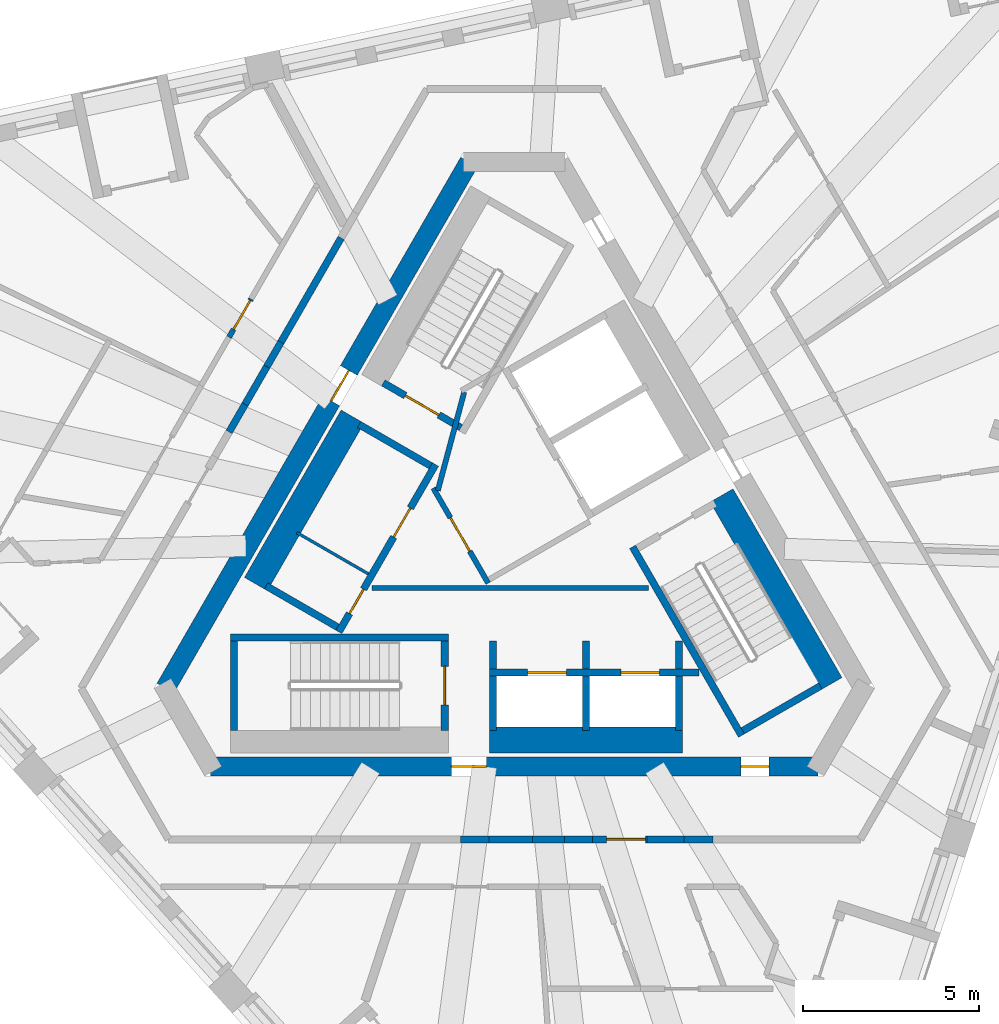
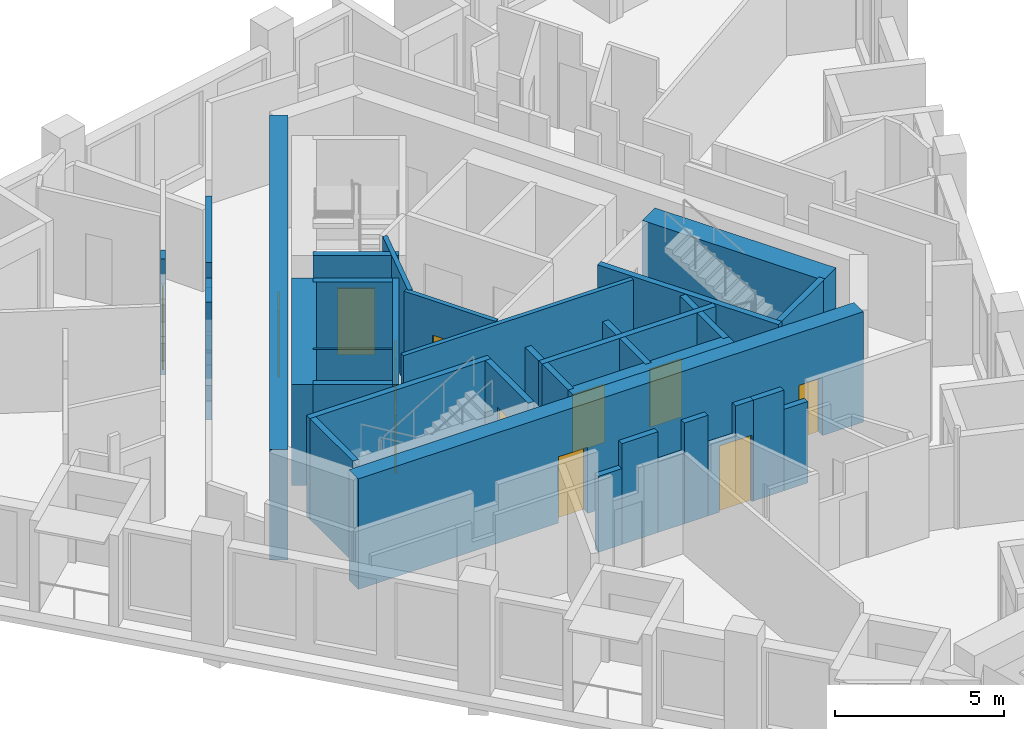
# One storey, part 4 of 12: 37 walls, 12 doors, 12 openings.
"""IFC4 building model written with IfcOpenShell, lengths in metres."""

from ifc_helpers import new_model, si_unit, direction, frame, frame_2d, origin, place, context, subcontext, project, spatial, polyline, rectangle, outline, extrude, material, layer, layer_set, type_object, element, fill, save


model = new_model("IFC4")

# Units and contexts
model_context = context("Model", 3, precision=1e-05, world=origin(), true_north=direction((0.0, 1.0)))
body_context = subcontext(model_context, "Body", "Model", "MODEL_VIEW")
ifc_project = project(units=[si_unit("LENGTHUNIT", "METRE"), si_unit("AREAUNIT", "SQUARE_METRE"), si_unit("VOLUMEUNIT", "CUBIC_METRE"), si_unit("PLANEANGLEUNIT", "RADIAN"), si_unit("MASSUNIT", "GRAM", prefix="KILO")], contexts=[model_context])

# Site, building, storey
site_placement = place(None, origin())
site = spatial("IfcSite", under=ifc_project, at=site_placement, CompositionType="ELEMENT")
building_placement = place(site_placement, origin())
building = spatial("IfcBuilding", under=site, at=building_placement, Name="Tramontana Tower", CompositionType="ELEMENT")
storey_placement = place(building_placement, frame((0.0, 0.0, 332.39990234375)))
storey = spatial("IfcBuildingStorey", under=building, at=storey_placement, Name="L76", CompositionType="ELEMENT", Elevation=332.39990234375)

# Wall, opening, door
ifc_material_1 = material(Name="Concrete 70 MPa", Category="concrete")
ifc_layer_1 = layer(ifc_material_1, 0.550048828125)
ifc_layer_set_1 = layer_set([ifc_layer_1], Name="Core wall 550 70 MPa")
wall_type_1 = type_object("IfcWallType", Name="Core wall 550 70 MPa", PredefinedType="SHEAR", material=ifc_layer_set_1)
wall_1_placement = place(storey_placement, frame((-1.28466796875, 10.72509765625, 0.0), z_axis=(0.0, 0.0, 1.0), x_axis=(-0.499994590896, -0.86602852671, 0.0)))
wall_1 = element("IfcWall", 1, at=wall_1_placement, inside=storey, type_object=wall_type_1, Name="Core wall C1 L76", PredefinedType="SHEAR", context=body_context, shape_type="SweptSolid", body=[
    extrude(rectangle(XDim=17.291748046875, YDim=0.550048828125, at=frame_2d((8.64599609375, 0.0))), origin(), (0.0, 0.0, 1.0), 4.0),
])
opening_1_placement = place(wall_1_placement, frame((6.850830078125, 0.0, 0.0)))
opening_1 = element("IfcOpeningElement", 2, at=opening_1_placement, cuts=wall_1, Name="Opening RG1", PredefinedType="OPENING", context=body_context, shape_type="SweptSolid", body=[
    extrude(rectangle(XDim=1.0, YDim=2.39990234375, at=frame_2d((0.5, 1.199951171875))), frame((0.0, 0.284912109375, 0.0), z_axis=(0.0, -1.0, 0.0), x_axis=(1.0, 0.0, 0.0)), (0.0, 0.0, 1.0), 0.570068359375),
])
ifc_material_2 = material(Name="Painted steel", Category="steel")
door_type_1 = type_object("IfcDoorType", Name="RING DOOR 1000", OperationType="SINGLE_SWING_LEFT", PredefinedType="DOOR", material=ifc_material_2)
door_1_placement = place(opening_1_placement, origin())
door_1 = element("IfcDoor", 3, at=door_1_placement, inside=storey, type_object=door_type_1, Name="Door RG1", OperationType="SINGLE_SWING_RIGHT", OverallHeight=2.39990234375, OverallWidth=1.0, PredefinedType="DOOR", context=body_context, shape_type="SweptSolid", body=[
    extrude(rectangle(XDim=1.0, YDim=2.39990234375, at=frame_2d((0.5, 1.199951171875))), frame((0.0, 0.02490234375, 0.0), z_axis=(0.0, -1.0, 0.0), x_axis=(1.0, 0.0, 0.0)), (0.0, 0.0, 1.0), 0.050048828125),
])
fill(opening_1, door_1)

# Wall, openings, doors
wall_2_placement = place(storey_placement, frame((-8.645751953125, -6.47509765625, 0.0), z_axis=(0.0, 0.0, 1.0), x_axis=(1.0, 0.0, 0.0)))
wall_2 = element("IfcWall", 4, at=wall_2_placement, inside=storey, type_object=wall_type_1, Name="Core wall C3 L76", PredefinedType="SHEAR", context=body_context, shape_type="SweptSolid", body=[
    extrude(rectangle(XDim=17.29150390625, YDim=0.550048828125, at=frame_2d((8.645751953125, 0.0))), origin(), (0.0, 0.0, 1.0), 4.0),
])
opening_2_placement = place(wall_2_placement, frame((6.850830078125, 0.0, 0.0)))
opening_2 = element("IfcOpeningElement", 5, at=opening_2_placement, cuts=wall_2, Name="Opening RG2", PredefinedType="OPENING", context=body_context, shape_type="SweptSolid", body=[
    extrude(rectangle(XDim=1.0, YDim=2.39990234375, at=frame_2d((0.5, 1.199951171875))), frame((0.0, 0.284912109375, 0.0), z_axis=(0.0, -1.0, 0.0), x_axis=(1.0, 0.0, 0.0)), (0.0, 0.0, 1.0), 0.570068359375),
])
opening_3_placement = place(wall_2_placement, frame((15.088623046875, 0.0, 0.0)))
opening_3 = element("IfcOpeningElement", 6, at=opening_3_placement, cuts=wall_2, Name="Opening PD2", PredefinedType="OPENING", context=body_context, shape_type="SweptSolid", body=[
    extrude(rectangle(XDim=0.800048828125, YDim=2.10009765625, at=frame_2d((0.39990234375, 1.050048828125))), frame((0.0, 0.284912109375, 0.0), z_axis=(0.0, -1.0, 0.0), x_axis=(1.0, 0.0, 0.0)), (0.0, 0.0, 1.0), 0.570068359375),
])
ifc_material_3 = material(Name="Painted steel", Category="steel")
door_type_2 = type_object("IfcDoorType", Name="CUPBOARD DOOR 800", OperationType="SINGLE_SWING_LEFT", PredefinedType="DOOR", material=ifc_material_3)
door_2_placement = place(opening_3_placement, origin())
door_2 = element("IfcDoor", 7, at=door_2_placement, inside=storey, type_object=door_type_2, Name="Door PD2", OperationType="SINGLE_SWING_LEFT", OverallHeight=2.10009765625, OverallWidth=0.800048828125, PredefinedType="DOOR", context=body_context, shape_type="SweptSolid", body=[
    extrude(rectangle(XDim=0.800048828125, YDim=2.10009765625, at=frame_2d((0.39990234375, 1.050048828125))), frame((0.0, 0.02490234375, 0.0), z_axis=(0.0, -1.0, 0.0), x_axis=(1.0, 0.0, 0.0)), (0.0, 0.0, 1.0), 0.050048828125),
])
fill(opening_3, door_2)
door_3_placement = place(opening_2_placement, origin())
door_3 = element("IfcDoor", 8, at=door_3_placement, inside=storey, type_object=door_type_1, Name="Door RG2", OperationType="SINGLE_SWING_LEFT", OverallHeight=2.39990234375, OverallWidth=1.0, PredefinedType="DOOR", context=body_context, shape_type="SweptSolid", body=[
    extrude(rectangle(XDim=1.0, YDim=2.39990234375, at=frame_2d((0.5, 1.199951171875))), frame((0.0, 0.02490234375, 0.0), z_axis=(0.0, -1.0, 0.0), x_axis=(1.0, 0.0, 0.0)), (0.0, 0.0, 1.0), 0.050048828125),
])
fill(opening_2, door_3)

# Walls
ifc_material_4 = material(Name="Blockwork", Category="masonry")
ifc_layer_2 = layer(ifc_material_4, 0.199951171875)
ifc_layer_set_2 = layer_set([ifc_layer_2], Name="ENTRY WALL 200")
wall_type_2 = type_object("IfcWallType", Name="ENTRY WALL 200", PredefinedType="SOLIDWALL", material=ifc_layer_set_2)
wall_3_placement = place(storey_placement, frame((5.6494140625, -8.550048828125, 0.0), z_axis=(0.0, 0.0, 1.0), x_axis=(-1.0, 0.0, 0.0)))
element("IfcWall", 9, at=wall_3_placement, inside=storey, type_object=wall_type_2, Name="Wall v81-ew1-1", PredefinedType="SOLIDWALL", context=body_context, shape_type="SweptSolid", body=[
    extrude(rectangle(XDim=0.821044921875, YDim=0.199951171875, at=frame_2d((0.41064453125, 0.0))), origin(), (0.0, 0.0, 1.0), 2.9501953125),
])
wall_4_placement = place(storey_placement, frame((4.828369140625, -8.550048828125, 0.0), z_axis=(0.0, 0.0, 1.0), x_axis=(-1.0, 0.0, 0.0)))
element("IfcWall", 10, at=wall_4_placement, inside=storey, type_object=wall_type_2, Name="Wall v81-ew1-2", PredefinedType="SOLIDWALL", context=body_context, shape_type="SweptSolid", body=[
    extrude(rectangle(XDim=1.050048828125, YDim=0.199951171875, at=frame_2d((0.52490234375, 0.0))), origin(), (0.0, 0.0, 1.0), 3.650146484375),
])

# Wall, opening, door
wall_5_placement = place(storey_placement, frame((3.7783203125, -8.550048828125, 0.0), z_axis=(0.0, 0.0, 1.0), x_axis=(-1.0, 0.0, 0.0)))
wall_5 = element("IfcWall", 11, at=wall_5_placement, inside=storey, type_object=wall_type_2, Name="Wall v81-ew1-3", PredefinedType="SOLIDWALL", context=body_context, shape_type="SweptSolid", body=[
    extrude(outline(polyline([(0.0, 0.0), (1.54931640625, 0.0), (1.549072265625, 2.550048828125), (0.605224609375, 2.550048828125), (0.605224609375, 3.650146484375), (0.0, 3.650146484375), (0.0, 0.0)])), frame((0.0, 0.10009765625, 0.0), z_axis=(0.0, -1.0, 0.0), x_axis=(1.0, 0.0, 0.0)), (0.0, 0.0, 1.0), 0.199951171875),
])
opening_4_placement = place(wall_5_placement, frame((0.050048828125, 0.0, 0.0)))
opening_4 = element("IfcOpeningElement", 12, at=opening_4_placement, cuts=wall_5, Name="Opening B8B-17", PredefinedType="OPENING", context=body_context, shape_type="SweptSolid", body=[
    extrude(rectangle(XDim=1.10009765625, YDim=2.39990234375, at=frame_2d((0.550048828125, 1.199951171875))), frame((0.0, 0.10986328125, 0.0), z_axis=(0.0, -1.0, 0.0), x_axis=(1.0, 0.0, 0.0)), (0.0, 0.0, 1.0), 0.219970703125),
])
ifc_material_5 = material(Name="Painted timber", Category="wood")
door_type_3 = type_object("IfcDoorType", Name="DOOR ENTRY 1100", OperationType="SINGLE_SWING_LEFT", PredefinedType="DOOR", material=ifc_material_5)
door_4_placement = place(opening_4_placement, origin())
door_4 = element("IfcDoor", 13, at=door_4_placement, inside=storey, type_object=door_type_3, Name="Door B8B-17", OperationType="SINGLE_SWING_LEFT", OverallHeight=2.39990234375, OverallWidth=1.10009765625, PredefinedType="DOOR", context=body_context, shape_type="SweptSolid", body=[
    extrude(rectangle(XDim=1.10009765625, YDim=2.39990234375, at=frame_2d((0.550048828125, 1.199951171875))), frame((0.0, 0.02490234375, 0.0), z_axis=(0.0, -1.0, 0.0), x_axis=(1.0, 0.0, 0.0)), (0.0, 0.0, 1.0), 0.050048828125),
])
fill(opening_4, door_4)

# Walls
wall_6_placement = place(storey_placement, frame((2.22900390625, -8.550048828125, 0.0), z_axis=(0.0, 0.0, 1.0), x_axis=(-1.0, 0.0, 0.0)))
element("IfcWall", 14, at=wall_6_placement, inside=storey, type_object=wall_type_2, Name="Wall v81-ew1-4", PredefinedType="SOLIDWALL", context=body_context, shape_type="SweptSolid", body=[
    extrude(rectangle(XDim=0.806640625, YDim=0.199951171875, at=frame_2d((0.4033203125, 0.0))), origin(), (0.0, 0.0, 1.0), 3.650146484375),
])
wall_7_placement = place(storey_placement, frame((1.42236328125, -8.550048828125, 0.0), z_axis=(0.0, 0.0, 1.0), x_axis=(-1.0, 0.0, 0.0)))
element("IfcWall", 15, at=wall_7_placement, inside=storey, type_object=wall_type_2, Name="Wall v81-ew1-5", PredefinedType="SOLIDWALL", context=body_context, shape_type="SweptSolid", body=[
    extrude(rectangle(XDim=0.90576171875, YDim=0.199951171875, at=frame_2d((0.452880859375, 0.0))), origin(), (0.0, 0.0, 1.0), 2.550048828125),
])
wall_8_placement = place(storey_placement, frame((0.5166015625, -8.550048828125, 0.0), z_axis=(0.0, 0.0, 1.0), x_axis=(-1.0, 0.0, 0.0)))
element("IfcWall", 16, at=wall_8_placement, inside=storey, type_object=wall_type_2, Name="Wall v81-ew1-6", PredefinedType="SOLIDWALL", context=body_context, shape_type="SweptSolid", body=[
    extrude(rectangle(XDim=1.23828125, YDim=0.199951171875, at=frame_2d((0.619140625, 0.0))), origin(), (0.0, 0.0, 1.0), 3.650146484375),
])
wall_9_placement = place(storey_placement, frame((-0.7216796875, -8.550048828125, 0.0), z_axis=(0.0, 0.0, 1.0), x_axis=(-1.0, 0.0, 0.0)))
element("IfcWall", 17, at=wall_9_placement, inside=storey, type_object=wall_type_2, Name="Wall v81-ew1-7", PredefinedType="SOLIDWALL", context=body_context, shape_type="SweptSolid", body=[
    extrude(rectangle(XDim=0.806884765625, YDim=0.199951171875, at=frame_2d((0.4033203125, 0.0))), origin(), (0.0, 0.0, 1.0), 2.75),
])
wall_10_placement = place(storey_placement, frame((-8.11572265625, 3.043212890625, 0.0), z_axis=(0.0, 0.0, 1.0), x_axis=(0.499994660107, 0.866028486751, 0.0)))
element("IfcWall", 18, at=wall_10_placement, inside=storey, type_object=wall_type_2, Name="Wall v81-ew3-5", PredefinedType="SOLIDWALL", context=body_context, shape_type="SweptSolid", body=[
    extrude(rectangle(XDim=0.90576171875, YDim=0.199951171875, at=frame_2d((0.452880859375, 0.0))), origin(), (0.0, 0.0, 1.0), 2.550048828125),
])
wall_11_placement = place(storey_placement, frame((-7.662841796875, 3.82763671875, 0.0), z_axis=(0.0, 0.0, 1.0), x_axis=(0.499955681623, 0.866050989499, 0.0)))
element("IfcWall", 19, at=wall_11_placement, inside=storey, type_object=wall_type_2, Name="Wall v81-ew3-6", PredefinedType="SOLIDWALL", context=body_context, shape_type="SweptSolid", body=[
    extrude(rectangle(XDim=1.23828125, YDim=0.199951171875, at=frame_2d((0.619140625, 0.0))), origin(), (0.0, 0.0, 1.0), 3.650146484375),
])
wall_12_placement = place(storey_placement, frame((-7.043701171875, 4.900146484375, 0.0), z_axis=(0.0, 0.0, 1.0), x_axis=(0.500141487433, 0.865943700565, 0.0)))
element("IfcWall", 20, at=wall_12_placement, inside=storey, type_object=wall_type_2, Name="Wall v81-ew3-7", PredefinedType="SOLIDWALL", context=body_context, shape_type="SweptSolid", body=[
    extrude(rectangle(XDim=0.806884765625, YDim=0.199951171875, at=frame_2d((0.4033203125, 0.0))), origin(), (0.0, 0.0, 1.0), 2.75),
])
wall_13_placement = place(storey_placement, frame((-6.64013671875, 5.598876953125, 0.0), z_axis=(0.0, 0.0, 1.0), x_axis=(0.499989998285, 0.8660311782, 0.0)))
element("IfcWall", 21, at=wall_13_placement, inside=storey, type_object=wall_type_2, Name="Wall v81-ew3-8", PredefinedType="SOLIDWALL", context=body_context, shape_type="SweptSolid", body=[
    extrude(rectangle(XDim=3.4228515625, YDim=0.199951171875, at=frame_2d((1.71142578125, 0.0))), origin(), (0.0, 0.0, 1.0), 3.650146484375),
])

# Wall, opening, door
ifc_material_6 = material(Name="Gypsum board partition")
ifc_layer_3 = layer(ifc_material_6, 0.14990234375)
ifc_layer_set_3 = layer_set([ifc_layer_3], Name="PARTITION 150")
wall_type_3 = type_object("IfcWallType", Name="PARTITION 150", PredefinedType="PARTITIONING", material=ifc_layer_set_3)
wall_14_placement = place(storey_placement, frame((-0.744140625, -1.260986328125, 0.0), z_axis=(0.0, 0.0, 1.0), x_axis=(-0.500004234368, 0.866022959057, 0.0)))
wall_14 = element("IfcWall", 22, at=wall_14_placement, inside=storey, type_object=wall_type_3, Name="Wall ff-front", PredefinedType="PARTITIONING", context=body_context, shape_type="SweptSolid", body=[
    extrude(rectangle(XDim=3.125, YDim=0.14990234375, at=frame_2d((1.5625, 0.0))), origin(), (0.0, 0.0, 1.0), 3.650146484375),
])
opening_5_placement = place(wall_14_placement, frame((1.050048828125, 0.0, 0.0)))
opening_5 = element("IfcOpeningElement", 23, at=opening_5_placement, cuts=wall_14, Name="Opening FD1", PredefinedType="OPENING", context=body_context, shape_type="SweptSolid", body=[
    extrude(rectangle(XDim=1.10009765625, YDim=2.39990234375, at=frame_2d((0.550048828125, 1.199951171875))), frame((0.0, 0.0849609375, 0.0), z_axis=(0.0, -1.0, 0.0), x_axis=(1.0, 0.0, 0.0)), (0.0, 0.0, 1.0), 0.169921875),
])
door_5_placement = place(opening_5_placement, origin())
door_5 = element("IfcDoor", 24, at=door_5_placement, inside=storey, type_object=door_type_3, Name="Door FD1", OperationType="SINGLE_SWING_LEFT", OverallHeight=2.39990234375, OverallWidth=1.10009765625, PredefinedType="DOOR", context=body_context, shape_type="SweptSolid", body=[
    extrude(rectangle(XDim=1.10009765625, YDim=2.39990234375, at=frame_2d((0.550048828125, 1.199951171875))), frame((0.0, 0.02490234375, 0.0), z_axis=(0.0, -1.0, 0.0), x_axis=(1.0, 0.0, 0.0)), (0.0, 0.0, 1.0), 0.050048828125),
])
fill(opening_5, door_5)

# Walls
wall_15_placement = place(storey_placement, frame((-2.177978515625, 1.372314453125, 0.0), z_axis=(0.0, 0.0, 1.0), x_axis=(0.258808958833, 0.96592852884, 0.0)))
element("IfcWall", 25, at=wall_15_placement, inside=storey, type_object=wall_type_3, Name="Wall ff-diag", PredefinedType="PARTITIONING", context=body_context, shape_type="SweptSolid", body=[
    extrude(rectangle(XDim=2.902587890625, YDim=0.14990234375, at=frame_2d((1.451171875, 0.0))), origin(), (0.0, 0.0, 1.0), 3.650146484375),
])
wall_16_placement = place(storey_placement, frame((-4.053466796875, -1.39990234375, 0.0), z_axis=(0.0, 0.0, 1.0), x_axis=(1.0, 0.0, 0.0)))
element("IfcWall", 26, at=wall_16_placement, inside=storey, type_object=wall_type_3, Name="Wall hub-cut1", PredefinedType="PARTITIONING", context=body_context, shape_type="SweptSolid", body=[
    extrude(rectangle(XDim=7.8759765625, YDim=0.14990234375, at=frame_2d((3.93798828125, 0.0))), origin(), (0.0, 0.0, 1.0), 3.650146484375),
])

# Wall, opening, door
wall_17_placement = place(storey_placement, frame((-8.11767578125, 5.73974609375, 0.0), z_axis=(0.0, 0.0, 1.0), x_axis=(0.499969537666, 0.866042990507, 0.0)))
wall_17 = element("IfcWall", 27, at=wall_17_placement, inside=storey, type_object=wall_type_3, Name="Wall v81-pw07-6", PredefinedType="PARTITIONING", context=body_context, shape_type="SweptSolid", body=[
    extrude(outline(polyline([(0.0, 0.0), (1.25439453125, 0.0), (1.25439453125, 3.650146484375), (0.78173828125, 3.650146484375), (0.78173828125, 2.75), (0.0, 2.75), (0.0, 0.0)])), frame((0.0, 0.074951171875, 0.0), z_axis=(0.0, -1.0, 0.0), x_axis=(1.0, 0.0, 0.0)), (0.0, 0.0, 1.0), 0.14990234375),
])
opening_6_placement = place(wall_17_placement, frame((0.25439453125, 0.0, 0.0)))
opening_6 = element("IfcOpeningElement", 28, at=opening_6_placement, cuts=wall_17, Name="Opening B8B-03", PredefinedType="OPENING", context=body_context, shape_type="SweptSolid", body=[
    extrude(rectangle(XDim=0.949951171875, YDim=2.39990234375, at=frame_2d((0.47509765625, 1.199951171875))), frame((0.0, 0.0849609375, 0.0), z_axis=(0.0, -1.0, 0.0), x_axis=(1.0, 0.0, 0.0)), (0.0, 0.0, 1.0), 0.169921875),
])
ifc_material_7 = material(Name="Painted timber", Category="wood")
door_type_4 = type_object("IfcDoorType", Name="DOOR ROOM 950", OperationType="SINGLE_SWING_LEFT", PredefinedType="DOOR", material=ifc_material_7)
door_6_placement = place(opening_6_placement, origin())
door_6 = element("IfcDoor", 29, at=door_6_placement, inside=storey, type_object=door_type_4, Name="Door B8B-03", OperationType="SINGLE_SWING_LEFT", OverallHeight=2.39990234375, OverallWidth=0.949951171875, PredefinedType="DOOR", context=body_context, shape_type="SweptSolid", body=[
    extrude(rectangle(XDim=0.949951171875, YDim=2.39990234375, at=frame_2d((0.47509765625, 1.199951171875))), frame((0.0, 0.02490234375, 0.0), z_axis=(0.0, -1.0, 0.0), x_axis=(1.0, 0.0, 0.0)), (0.0, 0.0, 1.0), 0.050048828125),
])
fill(opening_6, door_6)

# Walls
ifc_material_8 = material(Name="Gypsum board partition")
ifc_layer_4 = layer(ifc_material_8, 0.080078125)
ifc_layer_set_4 = layer_set([ifc_layer_4], Name="PARTITION 80")
wall_type_4 = type_object("IfcWallType", Name="PARTITION 80", PredefinedType="PARTITIONING", material=ifc_layer_set_4)
wall_18_placement = place(storey_placement, frame((-4.15478515625, -0.99609375, 0.0), z_axis=(0.0, 0.0, 1.0), x_axis=(-0.866016039709, 0.500016218704, 0.0)))
element("IfcWall", 30, at=wall_18_placement, inside=storey, type_object=wall_type_4, Name="Wall row0-split", PredefinedType="PARTITIONING", context=body_context, shape_type="SweptSolid", body=[
    extrude(rectangle(XDim=2.35009765625, YDim=0.080078125, at=frame_2d((1.175048828125, 0.0))), origin(), (0.0, 0.0, 1.0), 3.650146484375),
])
ifc_material_9 = material(Name="Concrete 70 MPa", Category="concrete")
ifc_layer_5 = layer(ifc_material_9, 0.75)
ifc_layer_set_5 = layer_set([ifc_layer_5], Name="Concrete 70 MPa, 750 mm")
wall_type_5 = type_object("IfcWallType", Name="RC SHAFT BACK WALL 750", PredefinedType="SOLIDWALL", material=ifc_layer_set_5)
wall_19_placement = place(storey_placement, frame((8.998046875, -4.135009765625, 0.0), z_axis=(0.0, 0.0, 1.0), x_axis=(-0.500009909098, 0.866019682689, 0.0)))
element("IfcWall", 31, at=wall_19_placement, inside=storey, type_object=wall_type_5, Name="Wall st3-back", PredefinedType="SOLIDWALL", context=body_context, shape_type="SweptSolid", body=[
    extrude(rectangle(XDim=6.199951171875, YDim=0.75, at=frame_2d((3.10009765625, 0.0))), origin(), (0.0, 0.0, 1.0), 3.650146484375),
])
wall_20_placement = place(storey_placement, frame((-4.60302734375, 3.477294921875, 0.0), z_axis=(0.0, 0.0, 1.0), x_axis=(-0.500015767406, -0.866016300277, 0.0)))
element("IfcWall", 32, at=wall_20_placement, inside=storey, type_object=wall_type_5, Name="Wall row0-back", PredefinedType="SOLIDWALL", context=body_context, shape_type="SweptSolid", body=[
    extrude(rectangle(XDim=5.499755859375, YDim=0.75, at=frame_2d((2.75, 0.0))), origin(), (0.0, 0.0, 1.0), 3.650146484375),
])
wall_21_placement = place(storey_placement, frame((-0.7099609375, -5.72509765625, 0.0), z_axis=(0.0, 0.0, 1.0), x_axis=(1.0, 0.0, 0.0)))
element("IfcWall", 33, at=wall_21_placement, inside=storey, type_object=wall_type_5, Name="Wall row1-back", PredefinedType="SOLIDWALL", context=body_context, shape_type="SweptSolid", body=[
    extrude(rectangle(XDim=5.5, YDim=0.75, at=frame_2d((2.75, 0.0))), origin(), (0.0, 0.0, 1.0), 3.650146484375),
])

# Wall, opening, door
ifc_material_10 = material(Name="Concrete 70 MPa", Category="concrete")
ifc_layer_6 = layer(ifc_material_10, 0.199951171875)
ifc_layer_set_6 = layer_set([ifc_layer_6], Name="Concrete 70 MPa, 200 mm")
wall_type_6 = type_object("IfcWallType", Name="RC STAIR AND SHAFT WALL 200", PredefinedType="SOLIDWALL", material=ifc_layer_set_6)
wall_22_placement = place(storey_placement, frame((-1.521484375, 3.164794921875, 0.0), z_axis=(0.0, 0.0, 1.0), x_axis=(-0.866030925526, 0.499990435942, 0.0)))
wall_22 = element("IfcWall", 34, at=wall_22_placement, inside=storey, type_object=wall_type_6, Name="Wall st1-near", PredefinedType="SOLIDWALL", context=body_context, shape_type="SweptSolid", body=[
    extrude(rectangle(XDim=2.5498046875, YDim=0.199951171875, at=frame_2d((1.27490234375, 0.0))), origin(), (0.0, 0.0, 1.0), 3.650146484375),
])
opening_7_placement = place(wall_22_placement, frame((0.72509765625, 0.0, 0.0)))
opening_7 = element("IfcOpeningElement", 35, at=opening_7_placement, cuts=wall_22, Name="Opening SD1", PredefinedType="OPENING", context=body_context, shape_type="SweptSolid", body=[
    extrude(rectangle(XDim=1.10009765625, YDim=2.39990234375, at=frame_2d((0.550048828125, 1.199951171875))), frame((0.0, 0.10986328125, 0.0), z_axis=(0.0, -1.0, 0.0), x_axis=(1.0, 0.0, 0.0)), (0.0, 0.0, 1.0), 0.219970703125),
])
ifc_material_11 = material(Name="Painted steel", Category="steel")
door_type_5 = type_object("IfcDoorType", Name="STAIR DOOR 1100", OperationType="SINGLE_SWING_LEFT", PredefinedType="DOOR", material=ifc_material_11)
door_7_placement = place(opening_7_placement, origin())
door_7 = element("IfcDoor", 36, at=door_7_placement, inside=storey, type_object=door_type_5, Name="Door SD1", OperationType="SINGLE_SWING_RIGHT", OverallHeight=2.39990234375, OverallWidth=1.10009765625, PredefinedType="DOOR", context=body_context, shape_type="SweptSolid", body=[
    extrude(rectangle(XDim=1.10009765625, YDim=2.39990234375, at=frame_2d((0.550048828125, 1.199951171875))), frame((0.0, 0.02490234375, 0.0), z_axis=(0.0, -1.0, 0.0), x_axis=(1.0, 0.0, 0.0)), (0.0, 0.0, 1.0), 0.050048828125),
])
fill(opening_7, door_7)

# Walls
wall_23_placement = place(storey_placement, frame((-8.080078125, -2.800048828125, 0.0), z_axis=(0.0, 0.0, 1.0), x_axis=(1.0, 0.0, 0.0)))
element("IfcWall", 37, at=wall_23_placement, inside=storey, type_object=wall_type_6, Name="Wall st2-front", PredefinedType="SOLIDWALL", context=body_context, shape_type="SweptSolid", body=[
    extrude(rectangle(XDim=6.2001953125, YDim=0.199951171875, at=frame_2d((3.10009765625, 0.0))), origin(), (0.0, 0.0, 1.0), 3.650146484375),
])
wall_24_placement = place(storey_placement, frame((-7.97998046875, -2.89990234375, 0.0), z_axis=(0.0, 0.0, 1.0), x_axis=(0.0, -1.0, 0.0)))
element("IfcWall", 38, at=wall_24_placement, inside=storey, type_object=wall_type_6, Name="Wall st2-far", PredefinedType="SOLIDWALL", context=body_context, shape_type="SweptSolid", body=[
    extrude(rectangle(XDim=2.550048828125, YDim=0.199951171875, at=frame_2d((1.27490234375, 0.0))), origin(), (0.0, 0.0, 1.0), 3.650146484375),
])

# Wall, opening, door
wall_25_placement = place(storey_placement, frame((-1.97998046875, -2.89990234375, 0.0), z_axis=(0.0, 0.0, 1.0), x_axis=(0.0, -1.0, 0.0)))
wall_25 = element("IfcWall", 39, at=wall_25_placement, inside=storey, type_object=wall_type_6, Name="Wall st2-near", PredefinedType="SOLIDWALL", context=body_context, shape_type="SweptSolid", body=[
    extrude(rectangle(XDim=2.550048828125, YDim=0.199951171875, at=frame_2d((1.27490234375, 0.0))), origin(), (0.0, 0.0, 1.0), 3.650146484375),
])
opening_8_placement = place(wall_25_placement, frame((0.72509765625, 0.0, 0.0)))
opening_8 = element("IfcOpeningElement", 40, at=opening_8_placement, cuts=wall_25, Name="Opening SD2", PredefinedType="OPENING", context=body_context, shape_type="SweptSolid", body=[
    extrude(rectangle(XDim=1.10009765625, YDim=2.39990234375, at=frame_2d((0.550048828125, 1.199951171875))), frame((0.0, 0.10986328125, 0.0), z_axis=(0.0, -1.0, 0.0), x_axis=(1.0, 0.0, 0.0)), (0.0, 0.0, 1.0), 0.219970703125),
])
door_8_placement = place(opening_8_placement, origin())
door_8 = element("IfcDoor", 41, at=door_8_placement, inside=storey, type_object=door_type_5, Name="Door SD2", OperationType="SINGLE_SWING_LEFT", OverallHeight=2.39990234375, OverallWidth=1.10009765625, PredefinedType="DOOR", context=body_context, shape_type="SweptSolid", body=[
    extrude(rectangle(XDim=1.10009765625, YDim=2.39990234375, at=frame_2d((0.550048828125, 1.199951171875))), frame((0.0, 0.02490234375, 0.0), z_axis=(0.0, -1.0, 0.0), x_axis=(1.0, 0.0, 0.0)), (0.0, 0.0, 1.0), 0.050048828125),
])
fill(opening_8, door_8)

# Walls
wall_26_placement = place(storey_placement, frame((6.46484375, -5.597412109375, 0.0), z_axis=(0.0, 0.0, 1.0), x_axis=(-0.49998037582, 0.866036733513, 0.0)))
element("IfcWall", 42, at=wall_26_placement, inside=storey, type_object=wall_type_6, Name="Wall st3-front", PredefinedType="SOLIDWALL", context=body_context, shape_type="SweptSolid", body=[
    extrude(rectangle(XDim=6.199951171875, YDim=0.199951171875, at=frame_2d((3.10009765625, 0.0))), origin(), (0.0, 0.0, 1.0), 3.650146484375),
])
wall_27_placement = place(storey_placement, frame((6.50146484375, -5.4609375, 0.0), z_axis=(0.0, 0.0, 1.0), x_axis=(0.865989465428, 0.500062241894, 0.0)))
element("IfcWall", 43, at=wall_27_placement, inside=storey, type_object=wall_type_6, Name="Wall st3-far", PredefinedType="SOLIDWALL", context=body_context, shape_type="SweptSolid", body=[
    extrude(rectangle(XDim=2.550048828125, YDim=0.199951171875, at=frame_2d((1.27490234375, 0.0))), origin(), (0.0, 0.0, 1.0), 3.650146484375),
])

# Wall, openings, doors
wall_28_placement = place(storey_placement, frame((-4.9931640625, -2.648193359375, 0.0), z_axis=(0.0, 0.0, 1.0), x_axis=(0.499996545922, 0.866027397988, 0.0)))
wall_28 = element("IfcWall", 44, at=wall_28_placement, inside=storey, type_object=wall_type_6, Name="Wall row0-front", PredefinedType="SOLIDWALL", context=body_context, shape_type="SweptSolid", body=[
    extrude(rectangle(XDim=5.5, YDim=0.199951171875, at=frame_2d((2.75, 0.0))), origin(), (0.0, 0.0, 1.0), 3.650146484375),
])
opening_9_placement = place(wall_28_placement, frame((3.1201171875, 0.0, 0.0)))
opening_9 = element("IfcOpeningElement", 45, at=opening_9_placement, cuts=wall_28, Name="Opening RD-0A", PredefinedType="OPENING", context=body_context, shape_type="SweptSolid", body=[
    extrude(rectangle(XDim=0.949951171875, YDim=2.39990234375, at=frame_2d((0.47509765625, 1.199951171875))), frame((0.0, 0.10986328125, 0.0), z_axis=(0.0, -1.0, 0.0), x_axis=(1.0, 0.0, 0.0)), (0.0, 0.0, 1.0), 0.219970703125),
])
opening_10_placement = place(wall_28_placement, frame((0.60498046875, 0.0, 0.0)))
opening_10 = element("IfcOpeningElement", 46, at=opening_10_placement, cuts=wall_28, Name="Opening RD-0B", PredefinedType="OPENING", context=body_context, shape_type="SweptSolid", body=[
    extrude(rectangle(XDim=0.800048828125, YDim=2.10009765625, at=frame_2d((0.39990234375, 1.050048828125))), frame((0.0, 0.10986328125, 0.0), z_axis=(0.0, -1.0, 0.0), x_axis=(1.0, 0.0, 0.0)), (0.0, 0.0, 1.0), 0.219970703125),
])
door_9_placement = place(opening_10_placement, origin())
door_9 = element("IfcDoor", 47, at=door_9_placement, inside=storey, type_object=door_type_2, Name="Door RD-0B", OperationType="SINGLE_SWING_RIGHT", OverallHeight=2.10009765625, OverallWidth=0.800048828125, PredefinedType="DOOR", context=body_context, shape_type="SweptSolid", body=[
    extrude(rectangle(XDim=0.800048828125, YDim=2.10009765625, at=frame_2d((0.39990234375, 1.050048828125))), frame((0.0, 0.02490234375, 0.0), z_axis=(0.0, -1.0, 0.0), x_axis=(1.0, 0.0, 0.0)), (0.0, 0.0, 1.0), 0.050048828125),
])
fill(opening_10, door_9)
door_10_placement = place(opening_9_placement, origin())
door_10 = element("IfcDoor", 48, at=door_10_placement, inside=storey, type_object=door_type_4, Name="Door RD-0A", OperationType="SINGLE_SWING_LEFT", OverallHeight=2.39990234375, OverallWidth=0.949951171875, PredefinedType="DOOR", context=body_context, shape_type="SweptSolid", body=[
    extrude(rectangle(XDim=0.949951171875, YDim=2.39990234375, at=frame_2d((0.47509765625, 1.199951171875))), frame((0.0, 0.02490234375, 0.0), z_axis=(0.0, -1.0, 0.0), x_axis=(1.0, 0.0, 0.0)), (0.0, 0.0, 1.0), 0.050048828125),
])
fill(opening_9, door_10)

# Walls
wall_29_placement = place(storey_placement, frame((-2.379638671875, 2.078369140625, 0.0), z_axis=(0.0, 0.0, 1.0), x_axis=(-0.866061024631, 0.499938297808, 0.0)))
element("IfcWall", 49, at=wall_29_placement, inside=storey, type_object=wall_type_6, Name="Wall row0-side0", PredefinedType="SOLIDWALL", context=body_context, shape_type="SweptSolid", body=[
    extrude(rectangle(XDim=2.349853515625, YDim=0.199951171875, at=frame_2d((1.1748046875, 0.0))), origin(), (0.0, 0.0, 1.0), 3.650146484375),
])
wall_30_placement = place(storey_placement, frame((-5.02978515625, -2.51171875, 0.0), z_axis=(0.0, 0.0, 1.0), x_axis=(-0.866016039709, 0.500016218704, 0.0)))
element("IfcWall", 50, at=wall_30_placement, inside=storey, type_object=wall_type_6, Name="Wall row0-side2", PredefinedType="SOLIDWALL", context=body_context, shape_type="SweptSolid", body=[
    extrude(rectangle(XDim=2.35009765625, YDim=0.199951171875, at=frame_2d((1.175048828125, 0.0))), origin(), (0.0, 0.0, 1.0), 3.650146484375),
])

# Wall, openings, doors
wall_31_placement = place(storey_placement, frame((-0.7099609375, -3.800048828125, 0.0), z_axis=(0.0, 0.0, 1.0), x_axis=(1.0, 0.0, 0.0)))
wall_31 = element("IfcWall", 51, at=wall_31_placement, inside=storey, type_object=wall_type_6, Name="Wall row1-front", PredefinedType="SOLIDWALL", context=body_context, shape_type="SweptSolid", body=[
    extrude(rectangle(XDim=5.96142578125, YDim=0.199951171875, at=frame_2d((2.980712890625, 0.0))), origin(), (0.0, 0.0, 1.0), 3.650146484375),
])
opening_11_placement = place(wall_31_placement, frame((1.090087890625, 0.0, 0.0)))
opening_11 = element("IfcOpeningElement", 52, at=opening_11_placement, cuts=wall_31, Name="Opening LD-S1", PredefinedType="OPENING", context=body_context, shape_type="SweptSolid", body=[
    extrude(rectangle(XDim=1.10009765625, YDim=2.10009765625, at=frame_2d((0.550048828125, 1.050048828125))), frame((0.0, 0.10986328125, 0.0), z_axis=(0.0, -1.0, 0.0), x_axis=(1.0, 0.0, 0.0)), (0.0, 0.0, 1.0), 0.219970703125),
])
opening_12_placement = place(wall_31_placement, frame((3.739990234375, 0.0, 0.0)))
opening_12 = element("IfcOpeningElement", 53, at=opening_12_placement, cuts=wall_31, Name="Opening LD-S2", PredefinedType="OPENING", context=body_context, shape_type="SweptSolid", body=[
    extrude(rectangle(XDim=1.10009765625, YDim=2.10009765625, at=frame_2d((0.550048828125, 1.050048828125))), frame((0.0, 0.10986328125, 0.0), z_axis=(0.0, -1.0, 0.0), x_axis=(1.0, 0.0, 0.0)), (0.0, 0.0, 1.0), 0.219970703125),
])
ifc_material_12 = material(Name="Brushed steel", Category="steel")
door_type_6 = type_object("IfcDoorType", Name="LANDING DOOR 1100", OperationType="SINGLE_SWING_LEFT", PredefinedType="DOOR", material=ifc_material_12)
door_11_placement = place(opening_11_placement, origin())
door_11 = element("IfcDoor", 54, at=door_11_placement, inside=storey, type_object=door_type_6, Name="Door LD-S1", OperationType="SLIDING_TO_LEFT", OverallHeight=2.10009765625, OverallWidth=1.10009765625, PredefinedType="DOOR", context=body_context, shape_type="SweptSolid", body=[
    extrude(rectangle(XDim=1.10009765625, YDim=2.10009765625, at=frame_2d((0.550048828125, 1.050048828125))), frame((0.0, 0.02490234375, 0.0), z_axis=(0.0, -1.0, 0.0), x_axis=(1.0, 0.0, 0.0)), (0.0, 0.0, 1.0), 0.050048828125),
])
fill(opening_11, door_11)
door_12_placement = place(opening_12_placement, origin())
door_12 = element("IfcDoor", 55, at=door_12_placement, inside=storey, type_object=door_type_6, Name="Door LD-S2", OperationType="SLIDING_TO_RIGHT", OverallHeight=2.10009765625, OverallWidth=1.10009765625, PredefinedType="DOOR", context=body_context, shape_type="SweptSolid", body=[
    extrude(rectangle(XDim=1.10009765625, YDim=2.10009765625, at=frame_2d((0.550048828125, 1.050048828125))), frame((0.0, 0.02490234375, 0.0), z_axis=(0.0, -1.0, 0.0), x_axis=(1.0, 0.0, 0.0)), (0.0, 0.0, 1.0), 0.050048828125),
])
fill(opening_12, door_12)

# Walls
wall_32_placement = place(storey_placement, frame((-0.610107421875, -3.89990234375, 0.0), z_axis=(0.0, 0.0, 1.0), x_axis=(0.0, -1.0, 0.0)))
element("IfcWall", 56, at=wall_32_placement, inside=storey, type_object=wall_type_6, Name="Wall row1-side0", PredefinedType="SOLIDWALL", context=body_context, shape_type="SweptSolid", body=[
    extrude(rectangle(XDim=1.550048828125, YDim=0.199951171875, at=frame_2d((0.77490234375, 0.0))), origin(), (0.0, 0.0, 1.0), 3.650146484375),
])
wall_33_placement = place(storey_placement, frame((-0.610107421875, -2.89990234375, 0.0), z_axis=(0.0, 0.0, 1.0), x_axis=(0.0, -1.0, 0.0)))
element("IfcWall", 57, at=wall_33_placement, inside=storey, type_object=wall_type_6, Name="Wall row1-side0-ret", PredefinedType="SOLIDWALL", context=body_context, shape_type="SweptSolid", body=[
    extrude(rectangle(XDim=0.800048828125, YDim=0.199951171875, at=frame_2d((0.39990234375, 0.0))), origin(), (0.0, 0.0, 1.0), 3.650146484375),
])
wall_34_placement = place(storey_placement, frame((2.0400390625, -3.89990234375, 0.0), z_axis=(0.0, 0.0, 1.0), x_axis=(0.0, -1.0, 0.0)))
element("IfcWall", 58, at=wall_34_placement, inside=storey, type_object=wall_type_6, Name="Wall row1-side1", PredefinedType="SOLIDWALL", context=body_context, shape_type="SweptSolid", body=[
    extrude(rectangle(XDim=1.550048828125, YDim=0.199951171875, at=frame_2d((0.77490234375, 0.0))), origin(), (0.0, 0.0, 1.0), 3.650146484375),
])
wall_35_placement = place(storey_placement, frame((2.0400390625, -2.89990234375, 0.0), z_axis=(0.0, 0.0, 1.0), x_axis=(0.0, -1.0, 0.0)))
element("IfcWall", 59, at=wall_35_placement, inside=storey, type_object=wall_type_6, Name="Wall row1-side1-ret", PredefinedType="SOLIDWALL", context=body_context, shape_type="SweptSolid", body=[
    extrude(rectangle(XDim=0.800048828125, YDim=0.199951171875, at=frame_2d((0.39990234375, 0.0))), origin(), (0.0, 0.0, 1.0), 3.650146484375),
])
wall_36_placement = place(storey_placement, frame((4.68994140625, -3.89990234375, 0.0), z_axis=(0.0, 0.0, 1.0), x_axis=(0.0, -1.0, 0.0)))
element("IfcWall", 60, at=wall_36_placement, inside=storey, type_object=wall_type_6, Name="Wall row1-side2", PredefinedType="SOLIDWALL", context=body_context, shape_type="SweptSolid", body=[
    extrude(rectangle(XDim=1.550048828125, YDim=0.199951171875, at=frame_2d((0.77490234375, 0.0))), origin(), (0.0, 0.0, 1.0), 3.650146484375),
])
wall_37_placement = place(storey_placement, frame((4.68994140625, -2.89990234375, 0.0), z_axis=(0.0, 0.0, 1.0), x_axis=(0.0, -1.0, 0.0)))
element("IfcWall", 61, at=wall_37_placement, inside=storey, type_object=wall_type_6, Name="Wall row1-side2-ret", PredefinedType="SOLIDWALL", context=body_context, shape_type="SweptSolid", body=[
    extrude(rectangle(XDim=0.800048828125, YDim=0.199951171875, at=frame_2d((0.39990234375, 0.0))), origin(), (0.0, 0.0, 1.0), 3.650146484375),
])

save(model, "model.ifc")
